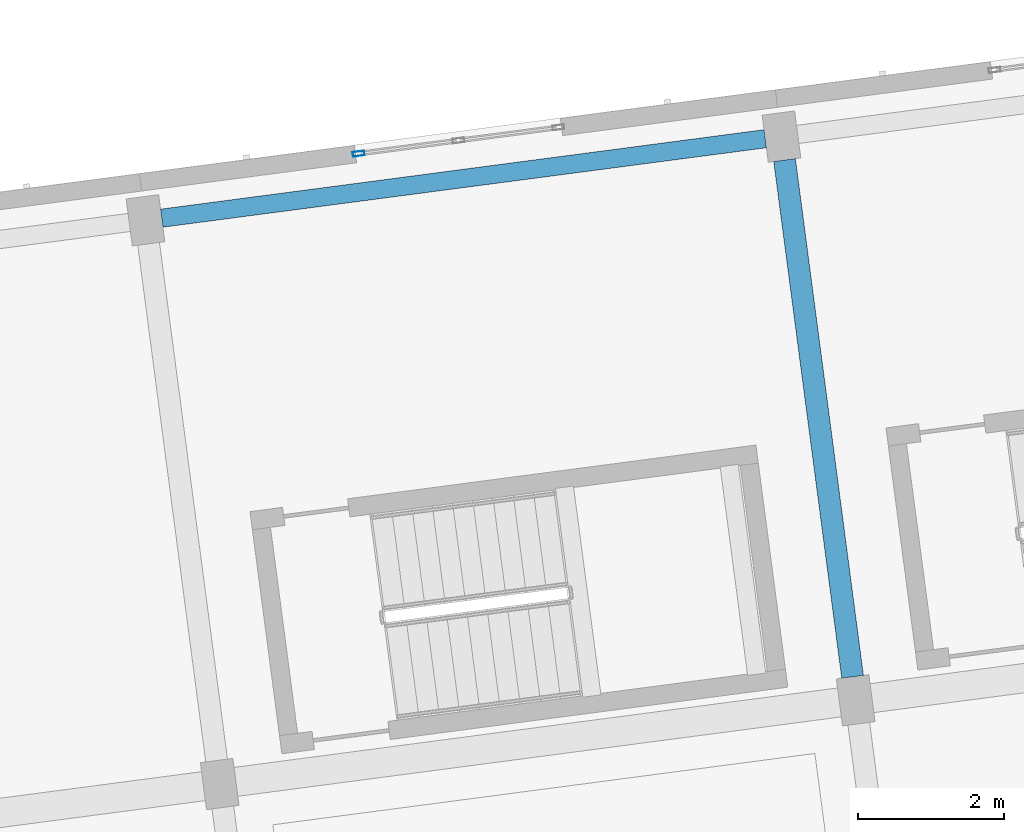
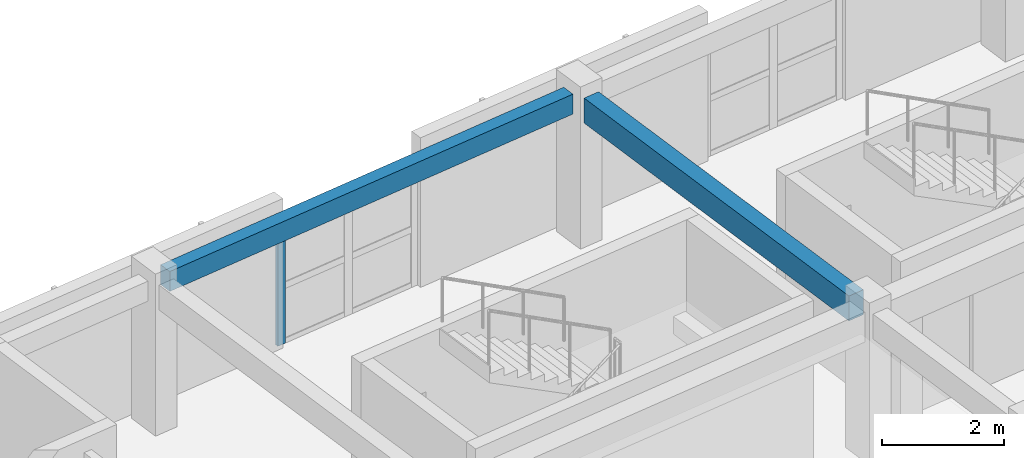
# One storey, part 4 of 56: 2 beams, 1 member, 1 element without a shape of its own.
"""IFC4 building model written with IfcOpenShell, lengths in metres."""

from ifc_helpers import new_model, si_unit, direction, frame, origin, origin_2d, place, context, subcontext, project, spatial, rectangle, hollow_rectangle, extrude, material, material_profile, profile_set, type_object, element, aggregate, save


model = new_model("IFC4")

# Units and contexts
model_context = context("Model", 3, precision=1e-05, world=origin(), true_north=direction((0.0, 1.0)))
body_context = subcontext(model_context, "Body", "Model", "MODEL_VIEW")
ifc_project = project(units=[si_unit("LENGTHUNIT", "METRE"), si_unit("AREAUNIT", "SQUARE_METRE"), si_unit("VOLUMEUNIT", "CUBIC_METRE"), si_unit("PLANEANGLEUNIT", "RADIAN"), si_unit("MASSUNIT", "GRAM", prefix="KILO")], contexts=[model_context])

# Site, building, storey
site_placement = place(None, origin())
site = spatial("IfcSite", under=ifc_project, at=site_placement, CompositionType="ELEMENT")
building_placement = place(site_placement, origin())
building = spatial("IfcBuilding", under=site, at=building_placement, Name="Kestramere Prow Commons", CompositionType="ELEMENT")
storey_placement = place(building_placement, frame((0.0, 0.0, 27.89990234375)))
storey = spatial("IfcBuildingStorey", under=building, at=storey_placement, Name="L08", CompositionType="ELEMENT", Elevation=27.89990234375)

# Beam
ifc_material_1 = material(Name="Precast concrete C40/50", Category="concrete")
ifc_material_profile_1 = material_profile(ifc_material_1, rectangle(XDim=0.300048828125, YDim=0.5, at=origin_2d()), Name="PC-BM 300x500")
ifc_profile_set_1 = profile_set([ifc_material_profile_1], Name="Precast concrete C40/50")
beam_type_1 = type_object("IfcBeamType", Name="BM-TIE-01 PC-BM 300x500", PredefinedType="BEAM", material=ifc_profile_set_1)
beam_1_placement = place(storey_placement, frame((27.0146484375, 86.715087890625, 2.75), z_axis=(-0.130537539388, 0.991443367425, 0.0), x_axis=(-0.991443367425, -0.130537539388, 0.0)))
element("IfcBeam", 1, at=beam_1_placement, inside=storey, type_object=beam_type_1, Name="Block A L08 Transverse Beam 3-3", PredefinedType="BEAM", context=body_context, shape_type="SweptSolid", body=[
    extrude(rectangle(XDim=0.300048828125, YDim=0.5, at=origin_2d()), origin(), (0.0, 0.0, 1.0), 7.150146484375),
])

# Curtain wall, member
ifc_material_2 = material(Name="Anodised Aluminium and Low-E Glass", Category="aluminium")
curtain_wall_type = type_object("IfcCurtainWallType", Name="CW-03 Glazed Curtain Wall 2830x2320", PredefinedType="USERDEFINED", material=ifc_material_2)
curtain_wall_placement = place(storey_placement, origin())
curtain_wall = element("IfcCurtainWall", 2, at=curtain_wall_placement, inside=storey, type_object=curtain_wall_type, Name="Block A L08 Stairwell Vertical Glazing 2", ObjectType="GLAZED CURTAIN WALL", PredefinedType="USERDEFINED")
ifc_material_3 = material(Name="Anodised Aluminium 6063-T6", Category="aluminium")
ifc_material_profile_2 = material_profile(ifc_material_3, hollow_rectangle(XDim=0.06494140625, YDim=0.159912109375, WallThickness=0.00390625, at=origin_2d()), Name="ALU-MUL 65x160")
ifc_profile_set_2 = profile_set([ifc_material_profile_2], Name="Anodised Aluminium 6063-T6")
member_type = type_object("IfcMemberType", Name="CW-MUL-65x160", PredefinedType="MULLION", material=ifc_profile_set_2)
member_placement = place(storey_placement, frame((20.2373046875, 93.891845703125, 0.0), z_axis=(0.0, 0.0, 1.0), x_axis=(-0.13052614723, 0.991444867297, 0.0)))
member = element("IfcMember", 3, at=member_placement, type_object=member_type, Name="CW-03 mullion 1", PredefinedType="MULLION", context=body_context, shape_type="SweptSolid", body=[
    extrude(hollow_rectangle(XDim=0.06494140625, YDim=0.159912109375, WallThickness=0.00390625, at=origin_2d()), origin(), (0.0, 0.0, 1.0), 2.320068359375),
])
aggregate(curtain_wall, [member])

# Beam
ifc_material_profile_3 = material_profile(ifc_material_1, rectangle(XDim=0.25, YDim=0.39990234375, at=origin_2d()), Name="PC-SP 250x400")
ifc_profile_set_3 = profile_set([ifc_material_profile_3], Name="Precast concrete C40/50")
beam_type_2 = type_object("IfcBeamType", Name="SP-EXT-01 PC-SP 250x400", PredefinedType="SPANDREL", material=ifc_profile_set_3)
beam_2_placement = place(storey_placement, frame((17.537353515625, 93.0068359375, 2.800048828125), z_axis=(0.991445635283, 0.13052031366, 0.0), x_axis=(-0.13052031366, 0.991445635283, 0.0)))
element("IfcBeam", 4, at=beam_2_placement, inside=storey, type_object=beam_type_2, Name="Block A L08 Longitudinal Beam 4-2", PredefinedType="SPANDREL", context=body_context, shape_type="SweptSolid", body=[
    extrude(rectangle(XDim=0.25, YDim=0.39990234375, at=origin_2d()), origin(), (0.0, 0.0, 1.0), 8.35009765625),
])

save(model, "model.ifc")
